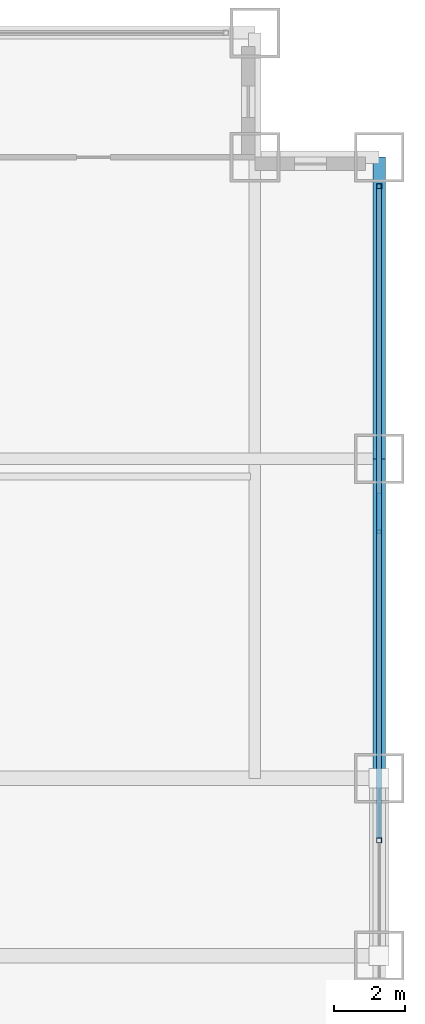
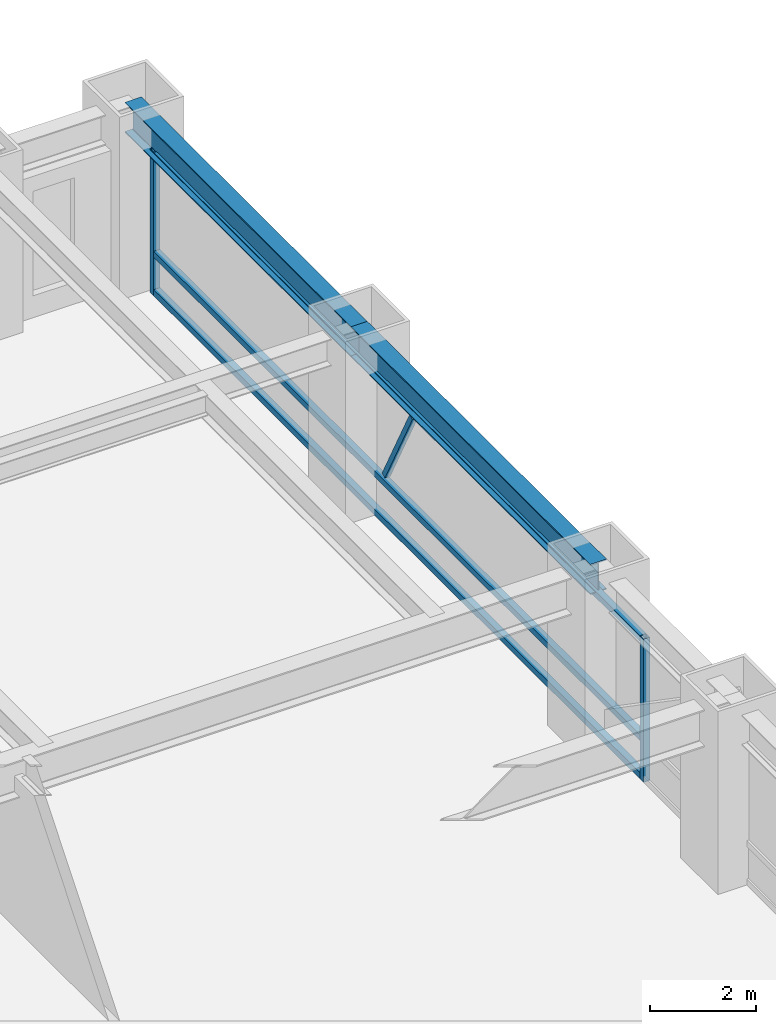
# One storey, part 18 of 27: 6 members, 2 beams, 1 element without a shape of its own.
"""IFC4 building model written with IfcOpenShell, lengths in metres."""

import ifcopenshell
import ifcopenshell.guid

model = None  # the IFC model being written
_history = None  # IfcOwnerHistory: only IFC2X3 demands one
_inside = {}  # id of a spatial element -> (the spatial element, [elements in it])
_under = {}  # id of a project, library or spatial element -> (it, [spatial elements below it])
_declared = {}  # id of a project -> (the project, [libraries it declares])
_typed = {}  # id of a type object -> (the type object, [elements of that type])
_made_of = {}  # id of a material, layer set ... -> (it, [elements and type objects made of it])


def new_model(schema):
    """Start an empty IFC model of exactly this schema.

    Asked for "IFC4X3", IfcOpenShell would pick the latest addendum, in which some entities
    have other attributes; the version numbers below select the first issue.
    IFC2X3 requires an IfcOwnerHistory on every rooted entity: one is made here for all.
    """
    global model, _history
    if schema == "IFC4X3":
        model = ifcopenshell.file(schema_version=(4, 3, 0, 0))
    else:
        model = ifcopenshell.file(schema=schema)
    _inside.clear()
    _under.clear()
    _declared.clear()
    _typed.clear()
    _made_of.clear()
    _history = None
    if model.schema == "IFC2X3":
        org = make("IfcOrganization", Name="unknown")
        user = make(
            "IfcPersonAndOrganization",
            ThePerson=make("IfcPerson", FamilyName="unknown"),
            TheOrganization=org,
        )
        app = make(
            "IfcApplication",
            ApplicationDeveloper=org,
            Version="unknown",
            ApplicationFullName="unknown",
            ApplicationIdentifier="unknown",
        )
        _history = make(
            "IfcOwnerHistory",
            OwningUser=user,
            OwningApplication=app,
            ChangeAction="ADDED",
            CreationDate=0,
        )
    return model


def make(cls, **values):
    """One entity of the class cls with the attributes given. An attribute that is None is left unset."""
    return model.create_entity(
        cls, **{name: value for name, value in values.items() if value is not None}
    )


def rooted(cls, **values):
    """An entity with a GlobalId (a new one), such as an element, a storey or a relation."""
    return make(cls, GlobalId=ifcopenshell.guid.new(), OwnerHistory=_history, **values)


def si_unit(unit_type, name, prefix=None):
    """IfcSIUnit, for example si_unit("LENGTHUNIT", "METRE", prefix="MILLI")."""
    return make("IfcSIUnit", UnitType=unit_type, Prefix=prefix, Name=name)


def assignment(units):
    """IfcUnitAssignment: the units of a project."""
    return None if units is None else make("IfcUnitAssignment", Units=units)


def point(xyz):
    """IfcCartesianPoint."""
    return None if xyz is None else make("IfcCartesianPoint", Coordinates=xyz)


def direction(xyz):
    """IfcDirection."""
    return None if xyz is None else make("IfcDirection", DirectionRatios=xyz)


def frame(location, z_axis=None, x_axis=None):
    """IfcAxis2Placement3D, a coordinate frame: its origin and axes. An axis left out is left unset."""
    return make(
        "IfcAxis2Placement3D",
        Location=point(location),
        Axis=direction(z_axis),
        RefDirection=direction(x_axis),
    )


def frame_2d(location, x_axis=None):
    """IfcAxis2Placement2D, a coordinate frame in the plane: its origin and x axis."""
    return make(
        "IfcAxis2Placement2D", Location=point(location), RefDirection=direction(x_axis)
    )


def origin():
    """The frame at (0, 0, 0) with its axes left unset."""
    return frame((0.0, 0.0, 0.0))


def origin_2d():
    """The frame at (0, 0) in the plane with its x axis left unset."""
    return frame_2d((0.0, 0.0))


def place(relative_to, where):
    """IfcLocalPlacement: puts the frame where relative to a parent placement (None: the world)."""
    return make(
        "IfcLocalPlacement", PlacementRelTo=relative_to, RelativePlacement=where
    )


def context(
    kind, dimensions, precision=None, world=None, true_north=None, identifier=None
):
    """IfcGeometricRepresentationContext, for example the 3D "Model" context."""
    return make(
        "IfcGeometricRepresentationContext",
        ContextIdentifier=identifier,
        ContextType=kind,
        CoordinateSpaceDimension=dimensions,
        Precision=precision,
        WorldCoordinateSystem=world,
        TrueNorth=true_north,
    )


def subcontext(parent, identifier, kind, view, scale=None):
    """IfcGeometricRepresentationSubContext, for example "Body" below "Model"."""
    return make(
        "IfcGeometricRepresentationSubContext",
        ContextIdentifier=identifier,
        ContextType=kind,
        ParentContext=parent,
        TargetScale=scale,
        TargetView=view,
    )


def project(units=None, contexts=None):
    """IfcProject with its units and contexts."""
    return rooted(
        "IfcProject",
        Name="project",
        RepresentationContexts=contexts,
        UnitsInContext=assignment(units),
    )


def spatial(cls, under=None, at=None, **own):
    """A site, building, storey or space (cls), placed at a placement, below another one or the project."""
    s = rooted(cls, ObjectPlacement=at, **own)
    if under is not None:
        _under.setdefault(under.id(), (under, []))[1].append(s)
    return s


def profile(cls, at=None, kind="AREA", **sizes):
    """A parametric profile (cls). Its sizes go by their IFC names, for example OverallWidth=200.0."""
    return make(cls, ProfileType=kind, Position=at, **sizes)


def hollow_rectangle(**sizes):
    """IfcRectangleHollowProfileDef."""
    return profile("IfcRectangleHollowProfileDef", **sizes)


def i_section(**sizes):
    """IfcIShapeProfileDef."""
    return profile("IfcIShapeProfileDef", **sizes)


def extrude(swept, where, along, depth):
    """IfcExtrudedAreaSolid: the profile swept, set in the frame where, extruded along a direction by depth."""
    return make(
        "IfcExtrudedAreaSolid",
        SweptArea=swept,
        Position=where,
        ExtrudedDirection=direction(along),
        Depth=depth,
    )


def shape(context_of_items, identifier, shape_type, items):
    """IfcShapeRepresentation: the items that make up one representation, for example the "Body"."""
    return make(
        "IfcShapeRepresentation",
        ContextOfItems=context_of_items,
        RepresentationIdentifier=identifier,
        RepresentationType=shape_type,
        Items=items,
    )


def source(mapping_origin, context_of_items, identifier, shape_type, items):
    """IfcRepresentationMap: a shape defined once, which mapped items show again and again."""
    return make(
        "IfcRepresentationMap",
        MappingOrigin=mapping_origin,
        MappedRepresentation=shape(context_of_items, identifier, shape_type, items),
    )


def transform(
    local_origin,
    x_axis=None,
    y_axis=None,
    z_axis=None,
    scale=None,
    scale2=None,
    scale3=None,
    uniform=True,
):
    """IfcCartesianTransformationOperator3D, or its non-uniform kind. x_axis, y_axis, z_axis: its Axis1, 2, 3."""
    if uniform:
        return make(
            "IfcCartesianTransformationOperator3D",
            Axis1=direction(x_axis),
            Axis2=direction(y_axis),
            LocalOrigin=point(local_origin),
            Scale=scale,
            Axis3=direction(z_axis),
        )
    return make(
        "IfcCartesianTransformationOperator3DnonUniform",
        Axis1=direction(x_axis),
        Axis2=direction(y_axis),
        LocalOrigin=point(local_origin),
        Scale=scale,
        Axis3=direction(z_axis),
        Scale2=scale2,
        Scale3=scale3,
    )


def mapped(mapping_source, mapping_target):
    """IfcMappedItem: shows the shape of a source again, moved by a transform."""
    return make(
        "IfcMappedItem", MappingSource=mapping_source, MappingTarget=mapping_target
    )


def material(Name=None, Category=None):
    """IfcMaterial."""
    return make("IfcMaterial", Name=Name, Category=Category)


def material_profile(
    of_material, cross_section, Name=None, Category=None, Priority=None
):
    """IfcMaterialProfile: a cross section and its material."""
    return make(
        "IfcMaterialProfile",
        Name=Name,
        Material=of_material,
        Profile=cross_section,
        Priority=Priority,
        Category=Category,
    )


def profile_set(profiles, Name=None, composite=None):
    """IfcMaterialProfileSet."""
    return make(
        "IfcMaterialProfileSet",
        Name=Name,
        MaterialProfiles=profiles,
        CompositeProfile=composite,
    )


def made_of(thing, what):
    """Note that an element or type object is made of a material, layer set ...; save() writes the relation."""
    if what is not None:
        _made_of.setdefault(what.id(), (what, []))[1].append(thing)
    return thing


def type_object(cls, material=None, **own):
    """A type object (cls), such as IfcWallType, which elements share."""
    return made_of(rooted(cls, **own), material)


def element(
    cls,
    number,
    at=None,
    inside=None,
    cuts=None,
    type_object=None,
    material=None,
    context=None,
    identifier="Body",
    shape_type=None,
    held_by="IfcProductDefinitionShape",
    body=None,
    shapes=None,
    **own,
):
    """One element of the class cls, such as IfcWall. Its Tag is "e" and its number.

    at: its placement. inside: the storey or other place that contains it. cuts: it is an
    opening in that element (IfcRelVoidsElement). A single representation is given by context,
    identifier, shape_type and body (its items); several are given by shapes. held_by: the class
    of the entity that holds the representations. save() writes the other relations.
    """
    e = rooted(cls, Tag="e%d" % number, ObjectPlacement=at, **own)
    if body is not None:
        shapes = [shape(context, identifier, shape_type, body)]
    if shapes is not None:
        e.Representation = make(held_by, Representations=shapes)
    if inside is not None:
        _inside.setdefault(inside.id(), (inside, []))[1].append(e)
    if cuts is not None:
        rooted(
            "IfcRelVoidsElement", RelatingBuildingElement=cuts, RelatedOpeningElement=e
        )
    if type_object is not None:
        _typed.setdefault(type_object.id(), (type_object, []))[1].append(e)
    return made_of(e, material)


def aggregate(whole, parts):
    """IfcRelAggregates: a whole, such as a stair, and the parts it consists of."""
    return rooted("IfcRelAggregates", RelatingObject=whole, RelatedObjects=parts)


def save(model, path):
    """Write the relations noted so far, then the file.

    IfcRelAggregates (storeys below a building ...), IfcRelContainedInSpatialStructure (elements
    in a storey), IfcRelDefinesByType, IfcRelAssociatesMaterial and IfcRelDeclares: one each for
    every whole, place, type object, material and project.
    """
    for whole, parts in _under.values():
        aggregate(whole, parts)
    for where, things in _inside.values():
        rooted(
            "IfcRelContainedInSpatialStructure",
            RelatedElements=things,
            RelatingStructure=where,
        )
    for kind, things in _typed.values():
        rooted("IfcRelDefinesByType", RelatedObjects=things, RelatingType=kind)
    for what, things in _made_of.values():
        rooted("IfcRelAssociatesMaterial", RelatedObjects=things, RelatingMaterial=what)
    for by, libraries in _declared.values():
        rooted("IfcRelDeclares", RelatingContext=by, RelatedDefinitions=libraries)
    model.write(path)


model = new_model("IFC4")

# Units and contexts
model_context = context("Model", 3, precision=1e-05, world=origin(), true_north=direction((0.0, 1.0)))
body_context = subcontext(model_context, "Body", "Model", "MODEL_VIEW")
ifc_project = project(units=[si_unit("LENGTHUNIT", "METRE"), si_unit("AREAUNIT", "SQUARE_METRE"), si_unit("VOLUMEUNIT", "CUBIC_METRE"), si_unit("PLANEANGLEUNIT", "RADIAN"), si_unit("MASSUNIT", "GRAM", prefix="KILO")], contexts=[model_context])

# Site, building, storey
site_placement = place(None, origin())
site = spatial("IfcSite", under=ifc_project, at=site_placement, CompositionType="ELEMENT")
building_placement = place(site_placement, origin())
building = spatial("IfcBuilding", under=site, at=building_placement, Name="Khorayat Bourse Tower", CompositionType="ELEMENT")
storey_placement = place(building_placement, frame((0.0, 0.0, 45.199951171875)))
storey = spatial("IfcBuildingStorey", under=building, at=storey_placement, Name="L09", CompositionType="ELEMENT", Elevation=45.199951171875)

# Beams
ifc_material_1 = material(Name="Steel ASTM A992 Grade 50", Category="steel")
ifc_material_profile_1 = material_profile(ifc_material_1, i_section(OverallWidth=0.35498046875, OverallDepth=0.695068359375, WebThickness=0.015380859375, FlangeThickness=0.02490234375, FilletRadius=0.01806640625, at=origin_2d()), Name="W690X217")
ifc_profile_set_1 = profile_set([ifc_material_profile_1], Name="Steel ASTM A992 Grade 50")
beam_type = type_object("IfcBeamType", Name="BM-SPAN-690", PredefinedType="SPANDREL", material=ifc_profile_set_1)
shared_shape_1 = source(origin(), body_context, "Body", "SweptSolid", [
    extrude(i_section(OverallWidth=0.35498046875, OverallDepth=0.695068359375, WebThickness=0.015380859375, FlangeThickness=0.02490234375, FilletRadius=0.01806640625, at=origin_2d()), origin(), (0.0, 0.0, 1.0), 8.5),
])
beam_1_placement = place(storey_placement, frame((32.0, 20.0, 3.592529296875), z_axis=(0.0, 1.0, 0.0), x_axis=(-1.0, 0.0, 0.0)))
element("IfcBeam", 1, at=beam_1_placement, inside=storey, type_object=beam_type, Name="L09 BM-SPAN-690 BM-L09-SPN-041", PredefinedType="SPANDREL", context=body_context, shape_type="MappedRepresentation", body=[
    mapped(shared_shape_1, transform((0.0, 0.0, 0.0), scale=1.0)),
])
shared_shape_2 = source(origin(), body_context, "Body", "SweptSolid", [
    extrude(i_section(OverallWidth=0.35498046875, OverallDepth=0.695068359375, WebThickness=0.015380859375, FlangeThickness=0.02490234375, FilletRadius=0.01806640625, at=origin_2d()), origin(), (0.0, 0.0, 1.0), 9.0),
])
beam_2_placement = place(storey_placement, frame((32.0, 11.0, 3.592529296875), z_axis=(0.0, 1.0, 0.0), x_axis=(-1.0, 0.0, 0.0)))
element("IfcBeam", 2, at=beam_2_placement, inside=storey, type_object=beam_type, Name="L09 BM-SPAN-690 BM-L09-SPN-040", PredefinedType="SPANDREL", context=body_context, shape_type="MappedRepresentation", body=[
    mapped(shared_shape_2, transform((0.0, 0.0, 0.0), scale=1.0)),
])

# Curtain wall, members
ifc_material_2 = material(Name="Aluminium EN AW-6063 T6", Category="aluminium")
curtain_wall_type = type_object("IfcCurtainWallType", Name="CW-SYS-02", PredefinedType="NOTDEFINED", material=ifc_material_2)
curtain_wall_placement = place(storey_placement, origin())
curtain_wall = element("IfcCurtainWall", 3, at=curtain_wall_placement, inside=storey, type_object=curtain_wall_type, Name="L09 Curtain Wall CW-L09-E1", PredefinedType="NOTDEFINED")
ifc_material_profile_2 = material_profile(ifc_material_2, hollow_rectangle(XDim=0.139892578125, YDim=0.139892578125, WallThickness=0.006103515625, at=origin_2d()), Name="ALU 140x140x6")
ifc_profile_set_2 = profile_set([ifc_material_profile_2], Name="Aluminium EN AW-6063 T6")
member_type_1 = type_object("IfcMemberType", Name="CWT-HORZ-140", PredefinedType="USERDEFINED", material=ifc_profile_set_2)
shared_shape_3 = source(origin(), body_context, "Body", "SweptSolid", [
    extrude(hollow_rectangle(XDim=0.139892578125, YDim=0.139892578125, WallThickness=0.006103515625, at=origin_2d()), origin(), (0.0, 0.0, 1.0), 18.2900390625),
])
member_1_placement = place(storey_placement, frame((32.0, 9.320068359375, 0.070068359375), z_axis=(0.0, 1.0, 0.0), x_axis=(-1.0, 0.0, 0.0)))
member_1 = element("IfcMember", 4, at=member_1_placement, type_object=member_type_1, Name="CW-L09-E1 Horizontal Transom 3-1", ObjectType="TRANSOM", PredefinedType="USERDEFINED", context=body_context, shape_type="MappedRepresentation", body=[
    mapped(shared_shape_3, transform((0.0, 0.0, 0.0), scale=1.0)),
])
member_2_placement = place(storey_placement, frame((32.0, 9.320068359375, 0.949951171875), z_axis=(0.0, 1.0, 0.0), x_axis=(-1.0, 0.0, 0.0)))
member_2 = element("IfcMember", 5, at=member_2_placement, type_object=member_type_1, Name="CW-L09-E1 Horizontal Transom 3-2", ObjectType="TRANSOM", PredefinedType="USERDEFINED", context=body_context, shape_type="MappedRepresentation", body=[
    mapped(shared_shape_3, transform((0.0, 0.0, 0.0), scale=1.0)),
])
member_3_placement = place(storey_placement, frame((32.0, 9.320068359375, 3.219970703125), z_axis=(0.0, 1.0, 0.0), x_axis=(-1.0, 0.0, 0.0)))
member_3 = element("IfcMember", 6, at=member_3_placement, type_object=member_type_1, Name="CW-L09-E1 Horizontal Transom 3-3", ObjectType="TRANSOM", PredefinedType="USERDEFINED", context=body_context, shape_type="MappedRepresentation", body=[
    mapped(shared_shape_3, transform((0.0, 0.0, 0.0), scale=1.0)),
])
ifc_material_profile_3 = material_profile(ifc_material_2, hollow_rectangle(XDim=0.1201171875, YDim=0.1201171875, WallThickness=0.0048828125, at=origin_2d()), Name="ALU 120x120x5")
ifc_profile_set_3 = profile_set([ifc_material_profile_3], Name="Aluminium EN AW-6063 T6")
member_type_2 = type_object("IfcMemberType", Name="CWM-DIAG-120", PredefinedType="MULLION", material=ifc_profile_set_3)
shared_shape_4 = source(origin(), body_context, "Body", "SweptSolid", [
    extrude(hollow_rectangle(XDim=0.1201171875, YDim=0.1201171875, WallThickness=0.0048828125, at=origin_2d()), origin(), (0.0, 0.0, 1.0), 2.22607421875),
])
member_4_placement = place(storey_placement, frame((32.0, 18.9833984375, 1.10009765625), z_axis=(0.0, -0.465759992596, 0.884911085532), x_axis=(1.0, 0.0, 0.0)))
member_4 = element("IfcMember", 7, at=member_4_placement, type_object=member_type_2, Name="CW-L09-E1 Faceted Diagonal Mullion 3", PredefinedType="MULLION", context=body_context, shape_type="MappedRepresentation", body=[
    mapped(shared_shape_4, transform((0.0, 0.0, 0.0), scale=1.0)),
])
ifc_material_profile_4 = material_profile(ifc_material_2, hollow_rectangle(XDim=0.139892578125, YDim=0.139892578125, WallThickness=0.006103515625, at=origin_2d()), Name="ALU 140x140x6")
ifc_profile_set_4 = profile_set([ifc_material_profile_4], Name="Aluminium EN AW-6063 T6")
member_type_3 = type_object("IfcMemberType", Name="CWM-VERT-140", PredefinedType="MULLION", material=ifc_profile_set_4)
shared_shape_5 = source(origin(), body_context, "Body", "SweptSolid", [
    extrude(hollow_rectangle(XDim=0.139892578125, YDim=0.139892578125, WallThickness=0.006103515625, at=origin_2d()), origin(), (0.0, 0.0, 1.0), 3.2900390625),
])
member_5_placement = place(storey_placement, frame((32.0, 9.25, 0.0), z_axis=(0.0, 0.0, 1.0), x_axis=(-1.0, 0.0, 0.0)))
member_5 = element("IfcMember", 8, at=member_5_placement, type_object=member_type_3, Name="CW-L09-E1 Vertical Mullion 3", PredefinedType="MULLION", context=body_context, shape_type="MappedRepresentation", body=[
    mapped(shared_shape_5, transform((0.0, 0.0, 0.0), scale=1.0)),
])
member_6_placement = place(storey_placement, frame((32.0, 27.679931640625, 0.0), z_axis=(0.0, 0.0, 1.0), x_axis=(-1.0, 0.0, 0.0)))
member_6 = element("IfcMember", 9, at=member_6_placement, type_object=member_type_3, Name="CW-L09-E1 Vertical Mullion 4", PredefinedType="MULLION", context=body_context, shape_type="MappedRepresentation", body=[
    mapped(shared_shape_5, transform((0.0, 0.0, 0.0), scale=1.0)),
])
aggregate(curtain_wall, [member_5, member_6, member_1, member_2, member_3, member_4])

save(model, "model.ifc")
